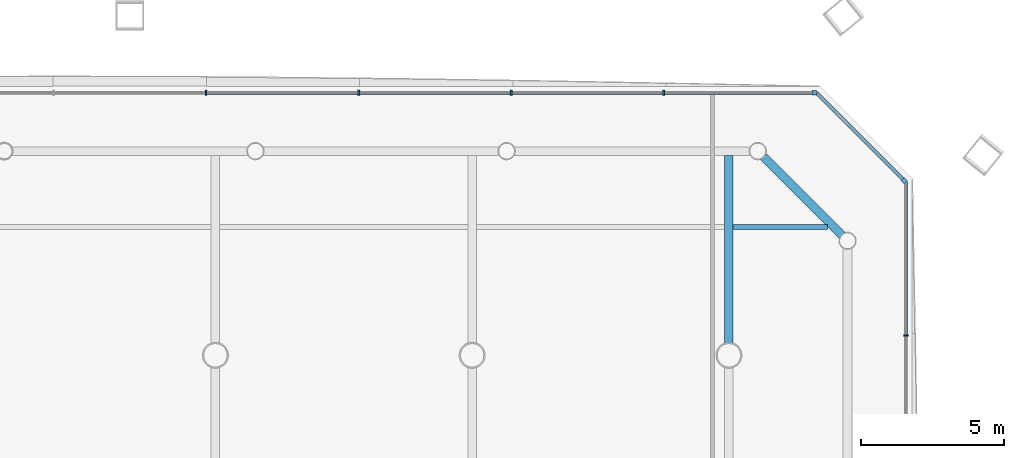
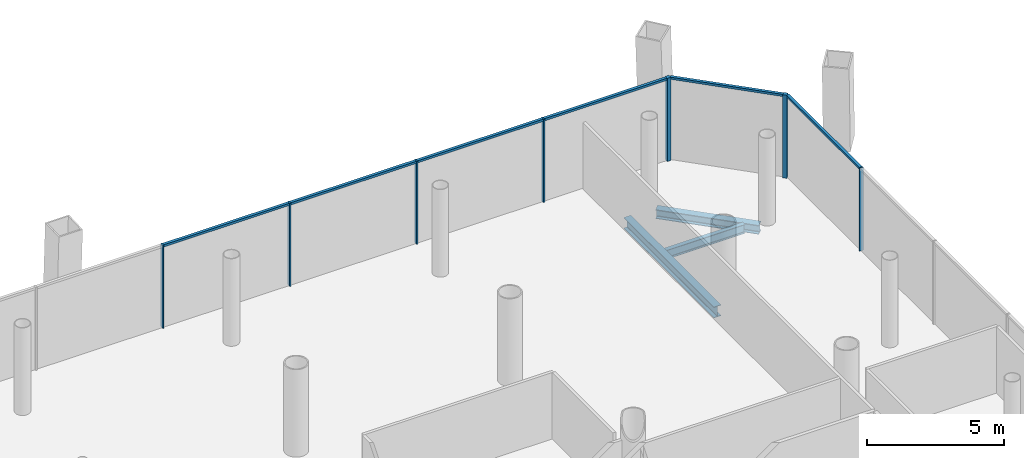
# One storey, part 12 of 22: 13 members, 3 beams, 3 elements without a shape of their own.
"""IFC4 building model written with IfcOpenShell, lengths in metres."""

from ifc_helpers import new_model, si_unit, direction, frame, origin, origin_2d, place, context, subcontext, project, spatial, rectangle, i_section, extrude, material, material_profile, profile_set, type_object, element, aggregate, save


model = new_model("IFC4")

# Units and contexts
model_context = context("Model", 3, precision=1e-05, world=origin(), true_north=direction((0.0, 1.0)))
body_context = subcontext(model_context, "Body", "Model", "MODEL_VIEW")
ifc_project = project(units=[si_unit("LENGTHUNIT", "METRE"), si_unit("AREAUNIT", "SQUARE_METRE"), si_unit("VOLUMEUNIT", "CUBIC_METRE"), si_unit("PLANEANGLEUNIT", "RADIAN"), si_unit("MASSUNIT", "GRAM", prefix="KILO")], contexts=[model_context])

# Site, building, storey
site_placement = place(None, origin())
site = spatial("IfcSite", under=ifc_project, at=site_placement, CompositionType="ELEMENT")
building_placement = place(site_placement, origin())
building = spatial("IfcBuilding", under=site, at=building_placement, Name="Tskaro Facet Tower", CompositionType="ELEMENT")
storey_placement = place(building_placement, frame((0.0, 0.0, 30.300048828125)))
storey = spatial("IfcBuildingStorey", under=building, at=storey_placement, Name="L06", CompositionType="ELEMENT", Elevation=30.300048828125)

# Curtain wall, member
ifc_material_1 = material(Name="Bronze anodised aluminium 6063-T6", Category="aluminium")
curtain_wall_type = type_object("IfcCurtainWallType", Name="Bronze office curtain wall (FW1)", PredefinedType="NOTDEFINED", material=ifc_material_1)
curtain_wall_1_placement = place(storey_placement, origin())
curtain_wall_1 = element("IfcCurtainWall", 1, at=curtain_wall_1_placement, inside=storey, type_object=curtain_wall_type, Name="FW1 north-east facet L06", PredefinedType="NOTDEFINED")
ifc_material_profile_1 = material_profile(ifc_material_1, rectangle(XDim=0.159912109375, YDim=0.159912109375, at=origin_2d()), Name="Corner post 160x160")
ifc_profile_set_1 = profile_set([ifc_material_profile_1], Name="Bronze anodised aluminium 6063-T6")
member_type_1 = type_object("IfcMemberType", Name="FW1 bronze corner post 160x160", PredefinedType="MULLION", material=ifc_profile_set_1)
member_1_placement = place(storey_placement, frame((24.1455078125, 24.12255859375, 0.0), z_axis=(0.0, 0.0, 1.0), x_axis=(-0.707106781187, 0.707106781187, 0.0)))
member_1 = element("IfcMember", 2, at=member_1_placement, type_object=member_type_1, Name="FW1 north-east corner post", PredefinedType="MULLION", context=body_context, shape_type="SweptSolid", body=[
    extrude(rectangle(XDim=0.159912109375, YDim=0.159912109375, at=origin_2d()), origin(), (0.0, 0.0, 1.0), 3.699951171875),
])

curtain_wall_2_placement = place(storey_placement, origin())
curtain_wall_2 = element("IfcCurtainWall", 3, at=curtain_wall_2_placement, inside=storey, type_object=curtain_wall_type, Name="FW1 north facet L06", PredefinedType="NOTDEFINED")
member_2_placement = place(storey_placement, frame((20.986083984375, 27.201904296875, 0.0), z_axis=(0.0, 0.0, 1.0), x_axis=(-1.0, 0.0, 0.0)))
member_2 = element("IfcMember", 4, at=member_2_placement, type_object=member_type_1, Name="FW1 north corner post", PredefinedType="MULLION", context=body_context, shape_type="SweptSolid", body=[
    extrude(rectangle(XDim=0.159912109375, YDim=0.159912109375, at=origin_2d()), origin(), (0.0, 0.0, 1.0), 3.699951171875),
])

curtain_wall_3_placement = place(storey_placement, origin())
curtain_wall_3 = element("IfcCurtainWall", 5, at=curtain_wall_3_placement, inside=storey, type_object=curtain_wall_type, Name="FW1 east facet L06", PredefinedType="NOTDEFINED")
ifc_material_profile_2 = material_profile(ifc_material_1, rectangle(XDim=0.06005859375, YDim=0.159912109375, at=origin_2d()), Name="Mullion 60x160")
ifc_profile_set_2 = profile_set([ifc_material_profile_2], Name="Bronze anodised aluminium 6063-T6")
member_type_2 = type_object("IfcMemberType", Name="FW1 bronze mullion 60x160", PredefinedType="MULLION", material=ifc_profile_set_2)
member_3_placement = place(storey_placement, frame((24.201904296875, 18.69140625, 0.0), z_axis=(0.0, 0.0, 1.0), x_axis=(0.0, 1.0, 0.0)))
member_3 = element("IfcMember", 6, at=member_3_placement, type_object=member_type_2, Name="FW1 east mullion 8", PredefinedType="MULLION", context=body_context, shape_type="SweptSolid", body=[
    extrude(rectangle(XDim=0.06005859375, YDim=0.159912109375, at=origin_2d()), origin(), (0.0, 0.0, 1.0), 3.699951171875),
])

# Member
member_4_placement = place(storey_placement, frame((15.718017578125, 27.201904296875, 0.0), z_axis=(0.0, 0.0, 1.0), x_axis=(-1.0, 0.0, 0.0)))
member_4 = element("IfcMember", 7, at=member_4_placement, type_object=member_type_2, Name="FW1 north mullion 1", PredefinedType="MULLION", context=body_context, shape_type="SweptSolid", body=[
    extrude(rectangle(XDim=0.06005859375, YDim=0.159912109375, at=origin_2d()), origin(), (0.0, 0.0, 1.0), 3.699951171875),
])

member_5_placement = place(storey_placement, frame((10.3701171875, 27.201904296875, 0.0), z_axis=(0.0, 0.0, 1.0), x_axis=(-1.0, 0.0, 0.0)))
member_5 = element("IfcMember", 8, at=member_5_placement, type_object=member_type_2, Name="FW1 north mullion 2", PredefinedType="MULLION", context=body_context, shape_type="SweptSolid", body=[
    extrude(rectangle(XDim=0.06005859375, YDim=0.159912109375, at=origin_2d()), origin(), (0.0, 0.0, 1.0), 3.699951171875),
])

member_6_placement = place(storey_placement, frame((5.02197265625, 27.201904296875, 0.0), z_axis=(0.0, 0.0, 1.0), x_axis=(-1.0, 0.0, 0.0)))
member_6 = element("IfcMember", 9, at=member_6_placement, type_object=member_type_2, Name="FW1 north mullion 3", PredefinedType="MULLION", context=body_context, shape_type="SweptSolid", body=[
    extrude(rectangle(XDim=0.06005859375, YDim=0.159912109375, at=origin_2d()), origin(), (0.0, 0.0, 1.0), 3.699951171875),
])

member_7_placement = place(storey_placement, frame((-0.325927734375, 27.201904296875, 0.0), z_axis=(0.0, 0.0, 1.0), x_axis=(-1.0, 0.0, 0.0)))
member_7 = element("IfcMember", 10, at=member_7_placement, type_object=member_type_2, Name="FW1 north mullion 4", PredefinedType="MULLION", context=body_context, shape_type="SweptSolid", body=[
    extrude(rectangle(XDim=0.06005859375, YDim=0.159912109375, at=origin_2d()), origin(), (0.0, 0.0, 1.0), 3.699951171875),
])

ifc_material_profile_3 = material_profile(ifc_material_1, rectangle(XDim=0.1201171875, YDim=0.10009765625, at=origin_2d()), Name="Transom 120x100")
ifc_profile_set_3 = profile_set([ifc_material_profile_3], Name="Bronze anodised aluminium 6063-T6")
member_type_3 = type_object("IfcMemberType", Name="FW1 bronze transom 120x100", PredefinedType="USERDEFINED", material=ifc_profile_set_3)
member_8_placement = place(storey_placement, frame((24.201904296875, 18.721435546875, 3.64990234375), z_axis=(0.0, 1.0, 0.0), x_axis=(-1.0, 0.0, 0.0)))
member_8 = element("IfcMember", 11, at=member_8_placement, type_object=member_type_3, Name="FW1 east transom 9.1", ObjectType="TRANSOM", PredefinedType="USERDEFINED", context=body_context, shape_type="SweptSolid", body=[
    extrude(rectangle(XDim=0.1201171875, YDim=0.10009765625, at=origin_2d()), origin(), (0.0, 0.0, 1.0), 5.344482421875),
])

aggregate(curtain_wall_3, [member_3, member_8])

member_9_placement = place(storey_placement, frame((24.0888671875, 24.17919921875, 3.64990234375), z_axis=(-0.707135335582, 0.707078225638, 0.0), x_axis=(-0.707078225638, -0.707135335582, 0.0)))
member_9 = element("IfcMember", 12, at=member_9_placement, type_object=member_type_3, Name="FW1 north-east transom 1.1", ObjectType="TRANSOM", PredefinedType="USERDEFINED", context=body_context, shape_type="SweptSolid", body=[
    extrude(rectangle(XDim=0.1201171875, YDim=0.10009765625, at=origin_2d()), origin(), (0.0, 0.0, 1.0), 4.27490234375),
])

aggregate(curtain_wall_1, [member_1, member_9])

member_10_placement = place(storey_placement, frame((20.906005859375, 27.201904296875, 3.64990234375), z_axis=(-1.0, 0.0, 0.0), x_axis=(0.0, -1.0, 0.0)))
member_10 = element("IfcMember", 13, at=member_10_placement, type_object=member_type_3, Name="FW1 north transom 1.1", ObjectType="TRANSOM", PredefinedType="USERDEFINED", context=body_context, shape_type="SweptSolid", body=[
    extrude(rectangle(XDim=0.1201171875, YDim=0.10009765625, at=origin_2d()), origin(), (0.0, 0.0, 1.0), 5.157958984375),
])

member_11_placement = place(storey_placement, frame((15.68798828125, 27.201904296875, 3.64990234375), z_axis=(-1.0, 0.0, 0.0), x_axis=(0.0, -1.0, 0.0)))
member_11 = element("IfcMember", 14, at=member_11_placement, type_object=member_type_3, Name="FW1 north transom 2.1", ObjectType="TRANSOM", PredefinedType="USERDEFINED", context=body_context, shape_type="SweptSolid", body=[
    extrude(rectangle(XDim=0.1201171875, YDim=0.10009765625, at=origin_2d()), origin(), (0.0, 0.0, 1.0), 5.2880859375),
])

member_12_placement = place(storey_placement, frame((10.340087890625, 27.201904296875, 3.64990234375), z_axis=(-1.0, 0.0, 0.0), x_axis=(0.0, -1.0, 0.0)))
member_12 = element("IfcMember", 15, at=member_12_placement, type_object=member_type_3, Name="FW1 north transom 3.1", ObjectType="TRANSOM", PredefinedType="USERDEFINED", context=body_context, shape_type="SweptSolid", body=[
    extrude(rectangle(XDim=0.1201171875, YDim=0.10009765625, at=origin_2d()), origin(), (0.0, 0.0, 1.0), 5.2880859375),
])

member_13_placement = place(storey_placement, frame((4.991943359375, 27.201904296875, 3.64990234375), z_axis=(-1.0, 0.0, 0.0), x_axis=(0.0, -1.0, 0.0)))
member_13 = element("IfcMember", 16, at=member_13_placement, type_object=member_type_3, Name="FW1 north transom 4.1", ObjectType="TRANSOM", PredefinedType="USERDEFINED", context=body_context, shape_type="SweptSolid", body=[
    extrude(rectangle(XDim=0.1201171875, YDim=0.10009765625, at=origin_2d()), origin(), (0.0, 0.0, 1.0), 5.287841796875),
])

aggregate(curtain_wall_2, [member_2, member_4, member_5, member_6, member_7, member_10, member_11, member_12, member_13])

# Beams
ifc_material_2 = material(Name="Steel S355J2", Category="steel")
ifc_material_profile_4 = material_profile(ifc_material_2, i_section(OverallWidth=0.300048828125, OverallDepth=0.39990234375, WebThickness=0.013427734375, FlangeThickness=0.02392578125, FilletRadius=0.027099609375, at=origin_2d()), Name="HE 400 B")
ifc_profile_set_4 = profile_set([ifc_material_profile_4], Name="Steel S355J2")
beam_type_1 = type_object("IfcBeamType", Name="HE 400 B ring beam", PredefinedType="BEAM", material=ifc_profile_set_4)
beam_1_placement = place(storey_placement, frame((21.962646484375, 22.20654296875, -0.340087890625), z_axis=(-0.707106781187, 0.707106781187, 0.0), x_axis=(-0.707106781187, -0.707106781187, 0.0)))
element("IfcBeam", 17, at=beam_1_placement, inside=storey, type_object=beam_type_1, Name="HE 400 B EB13-1", PredefinedType="BEAM", context=body_context, shape_type="SweptSolid", body=[
    extrude(i_section(OverallWidth=0.300048828125, OverallDepth=0.39990234375, WebThickness=0.013427734375, FlangeThickness=0.02392578125, FilletRadius=0.027099609375, at=origin_2d()), origin(), (0.0, 0.0, 1.0), 3.897705078125),
])
ifc_material_profile_5 = material_profile(ifc_material_2, i_section(OverallWidth=0.300048828125, OverallDepth=0.489990234375, WebThickness=0.011962890625, FlangeThickness=0.02294921875, FilletRadius=0.027099609375, at=origin_2d()), Name="HE 500 A")
ifc_profile_set_5 = profile_set([ifc_material_profile_5], Name="Steel S355J2")
beam_type_2 = type_object("IfcBeamType", Name="HE 500 A girder", PredefinedType="BEAM", material=ifc_profile_set_5)
beam_2_placement = place(storey_placement, frame((18.0, 18.42724609375, -0.385009765625), z_axis=(0.0, 1.0, 0.0), x_axis=(-1.0, 0.0, 0.0)))
element("IfcBeam", 18, at=beam_2_placement, inside=storey, type_object=beam_type_2, Name="HE 500 A GB6-6-1", PredefinedType="BEAM", context=body_context, shape_type="SweptSolid", body=[
    extrude(i_section(OverallWidth=0.300048828125, OverallDepth=0.489990234375, WebThickness=0.011962890625, FlangeThickness=0.02294921875, FilletRadius=0.027099609375, at=origin_2d()), origin(), (0.0, 0.0, 1.0), 6.579833984375),
])
ifc_material_profile_6 = material_profile(ifc_material_2, i_section(OverallWidth=0.179931640625, OverallDepth=0.39990234375, WebThickness=0.008544921875, FlangeThickness=0.013427734375, FilletRadius=0.02099609375, at=origin_2d()), Name="IPE 400")
ifc_profile_set_6 = profile_set([ifc_material_profile_6], Name="Steel S355J2")
beam_type_3 = type_object("IfcBeamType", Name="IPE 400 secondary beam", PredefinedType="BEAM", material=ifc_profile_set_6)
beam_3_placement = place(storey_placement, frame((18.14990234375, 22.5, -0.340087890625), z_axis=(1.0, 0.0, 0.0), x_axis=(0.0, 1.0, 0.0)))
element("IfcBeam", 19, at=beam_3_placement, inside=storey, type_object=beam_type_3, Name="IPE 400 SB6a-6-1", PredefinedType="BEAM", context=body_context, shape_type="SweptSolid", body=[
    extrude(i_section(OverallWidth=0.179931640625, OverallDepth=0.39990234375, WebThickness=0.008544921875, FlangeThickness=0.013427734375, FilletRadius=0.02099609375, at=origin_2d()), origin(), (0.0, 0.0, 1.0), 3.30712890625),
])

save(model, "model.ifc")
